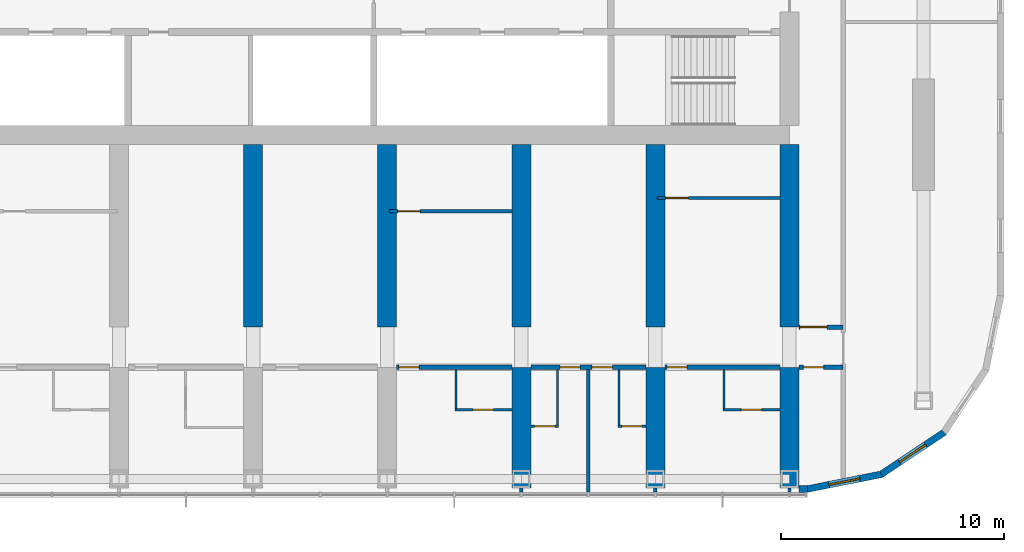
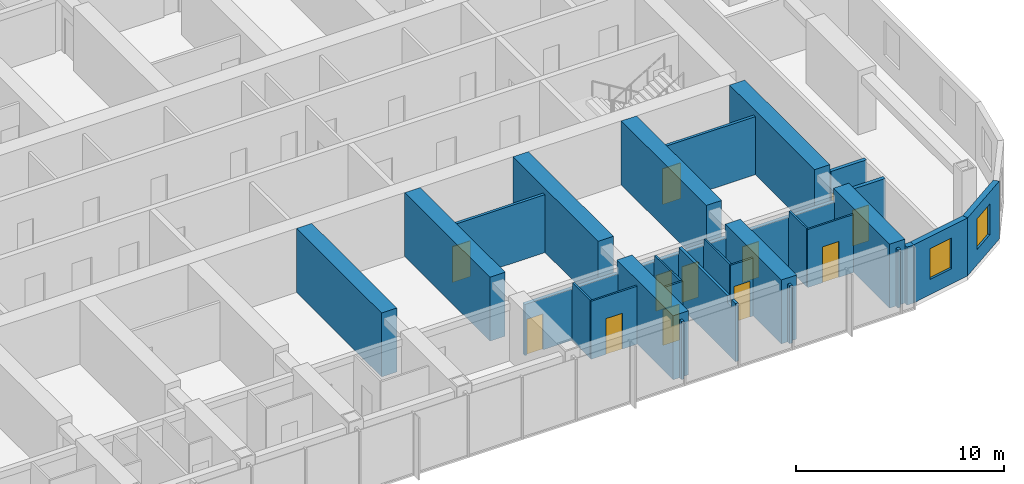
# One storey, part 12 of 22: 30 walls, 12 doors, 2 windows, 14 openings.
"""IFC4 building model written with IfcOpenShell, lengths in metres."""

from ifc_helpers import new_model, si_unit, direction, frame, frame_2d, origin, place, context, subcontext, project, spatial, polyline, rectangle, outline, extrude, material, layer, layer_set, type_object, element, fill, save


model = new_model("IFC4")

# Units and contexts
model_context = context("Model", 3, precision=1e-05, world=origin(), true_north=direction((0.0, 1.0)))
body_context = subcontext(model_context, "Body", "Model", "MODEL_VIEW")
ifc_project = project(units=[si_unit("LENGTHUNIT", "METRE"), si_unit("AREAUNIT", "SQUARE_METRE"), si_unit("VOLUMEUNIT", "CUBIC_METRE"), si_unit("PLANEANGLEUNIT", "RADIAN"), si_unit("MASSUNIT", "GRAM", prefix="KILO")], contexts=[model_context])

# Site, building, storey
site_placement = place(None, origin())
site = spatial("IfcSite", under=ifc_project, at=site_placement, CompositionType="ELEMENT")
building_placement = place(site_placement, origin())
building = spatial("IfcBuilding", under=site, at=building_placement, Name="Orbita Commons", CompositionType="ELEMENT")
storey_placement = place(building_placement, frame((0.0, 0.0, 197.35009765625)))
storey = spatial("IfcBuildingStorey", under=building, at=storey_placement, Name="L49", CompositionType="ELEMENT", Elevation=197.35009765625)

# Wall, opening, door
ifc_material_1 = material(Name="Concrete blockwork", Category="masonry")
ifc_layer_1 = layer(ifc_material_1, 0.199951171875)
ifc_layer_set_1 = layer_set([ifc_layer_1], Name="Concrete blockwork")
wall_type_1 = type_object("IfcWallType", Name="Corridor wall 200 blockwork", PredefinedType="SOLIDWALL", material=ifc_layer_set_1)
wall_1_placement = place(storey_placement, frame((48.425048828125, 15.39990234375, 0.0), z_axis=(0.0, 0.0, 1.0), x_axis=(1.0, 0.0, 0.0)))
wall_1 = element("IfcWall", 1, at=wall_1_placement, inside=storey, type_object=wall_type_1, Name="Corridor wall 200 blockwork L49", PredefinedType="SOLIDWALL", context=body_context, shape_type="SweptSolid", body=[
    extrude(outline(polyline([(0.0, 0.0), (5.14990234375, 0.0), (5.14990234375, 3.0), (0.0, 3.0), (0.0, 0.0)])), frame((0.0, 0.10009765625, 0.0), z_axis=(0.0, -1.0, 0.0), x_axis=(1.0, 0.0, 0.0)), (0.0, 0.0, 1.0), 0.199951171875),
])
opening_1_placement = place(wall_1_placement, frame((0.10009765625, 0.0, 0.0)))
opening_1 = element("IfcOpeningElement", 2, at=opening_1_placement, cuts=wall_1, Name="Opening D11", PredefinedType="OPENING", context=body_context, shape_type="SweptSolid", body=[
    extrude(rectangle(XDim=0.89990234375, YDim=2.10009765625, at=frame_2d((0.449951171875, 1.050048828125))), frame((0.0, 0.10986328125, 0.0), z_axis=(0.0, -1.0, 0.0), x_axis=(1.0, 0.0, 0.0)), (0.0, 0.0, 1.0), 0.219970703125),
])
ifc_material_2 = material(Name="Steel-faced fire door leaf", Category="steel")
door_type_1 = type_object("IfcDoorType", Name="Corridor door 20 min 900x2100", OperationType="SINGLE_SWING_LEFT", PredefinedType="DOOR", material=ifc_material_2)
door_1_placement = place(opening_1_placement, origin())
door_1 = element("IfcDoor", 3, at=door_1_placement, inside=storey, type_object=door_type_1, Name="Twin room L49-S10 door", OperationType="SINGLE_SWING_LEFT", OverallHeight=2.10009765625, OverallWidth=0.89990234375, PredefinedType="DOOR", context=body_context, shape_type="SweptSolid", body=[
    extrude(rectangle(XDim=0.89990234375, YDim=2.10009765625, at=frame_2d((0.449951171875, 1.050048828125))), frame((0.0, 0.02490234375, 0.0), z_axis=(0.0, -1.0, 0.0), x_axis=(1.0, 0.0, 0.0)), (0.0, 0.0, 1.0), 0.050048828125),
])
fill(opening_1, door_1)

# Wall, openings, doors
wall_2_placement = place(storey_placement, frame((54.425048828125, 15.39990234375, 0.0), z_axis=(0.0, 0.0, 1.0), x_axis=(1.0, 0.0, 0.0)))
wall_2 = element("IfcWall", 4, at=wall_2_placement, inside=storey, type_object=wall_type_1, Name="Corridor wall 200 blockwork L49", PredefinedType="SOLIDWALL", context=body_context, shape_type="SweptSolid", body=[
    extrude(outline(polyline([(0.0, 0.0), (5.14990234375, 0.0), (5.14990234375, 3.0), (0.0, 3.0), (0.0, 0.0)])), frame((0.0, 0.10009765625, 0.0), z_axis=(0.0, -1.0, 0.0), x_axis=(1.0, 0.0, 0.0)), (0.0, 0.0, 1.0), 0.199951171875),
])
opening_2_placement = place(wall_2_placement, frame((1.300048828125, 0.0, 0.0)))
opening_2 = element("IfcOpeningElement", 5, at=opening_2_placement, cuts=wall_2, Name="Opening D11", PredefinedType="OPENING", context=body_context, shape_type="SweptSolid", body=[
    extrude(rectangle(XDim=0.89990234375, YDim=2.10009765625, at=frame_2d((0.449951171875, 1.050048828125))), frame((0.0, 0.10986328125, 0.0), z_axis=(0.0, -1.0, 0.0), x_axis=(1.0, 0.0, 0.0)), (0.0, 0.0, 1.0), 0.219970703125),
])
opening_3_placement = place(wall_2_placement, frame((2.75, 0.0, 0.0)))
opening_3 = element("IfcOpeningElement", 6, at=opening_3_placement, cuts=wall_2, Name="Opening D11", PredefinedType="OPENING", context=body_context, shape_type="SweptSolid", body=[
    extrude(rectangle(XDim=0.89990234375, YDim=2.10009765625, at=frame_2d((0.449951171875, 1.050048828125))), frame((0.0, 0.10986328125, 0.0), z_axis=(0.0, -1.0, 0.0), x_axis=(1.0, 0.0, 0.0)), (0.0, 0.0, 1.0), 0.219970703125),
])
door_2_placement = place(opening_2_placement, origin())
door_2 = element("IfcDoor", 7, at=door_2_placement, inside=storey, type_object=door_type_1, Name="Cluster bedroom L49-S12 door", OperationType="SINGLE_SWING_LEFT", OverallHeight=2.10009765625, OverallWidth=0.89990234375, PredefinedType="DOOR", context=body_context, shape_type="SweptSolid", body=[
    extrude(rectangle(XDim=0.89990234375, YDim=2.10009765625, at=frame_2d((0.449951171875, 1.050048828125))), frame((0.0, 0.02490234375, 0.0), z_axis=(0.0, -1.0, 0.0), x_axis=(1.0, 0.0, 0.0)), (0.0, 0.0, 1.0), 0.050048828125),
])
fill(opening_2, door_2)
door_3_placement = place(opening_3_placement, origin())
door_3 = element("IfcDoor", 8, at=door_3_placement, inside=storey, type_object=door_type_1, Name="Cluster bedroom L49-S13 door", OperationType="SINGLE_SWING_LEFT", OverallHeight=2.10009765625, OverallWidth=0.89990234375, PredefinedType="DOOR", context=body_context, shape_type="SweptSolid", body=[
    extrude(rectangle(XDim=0.89990234375, YDim=2.10009765625, at=frame_2d((0.449951171875, 1.050048828125))), frame((0.0, 0.02490234375, 0.0), z_axis=(0.0, -1.0, 0.0), x_axis=(1.0, 0.0, 0.0)), (0.0, 0.0, 1.0), 0.050048828125),
])
fill(opening_3, door_3)

# Wall, opening, door
wall_3_placement = place(storey_placement, frame((60.425048828125, 15.39990234375, 0.0), z_axis=(0.0, 0.0, 1.0), x_axis=(1.0, 0.0, 0.0)))
wall_3 = element("IfcWall", 9, at=wall_3_placement, inside=storey, type_object=wall_type_1, Name="Corridor wall 200 blockwork L49", PredefinedType="SOLIDWALL", context=body_context, shape_type="SweptSolid", body=[
    extrude(outline(polyline([(0.0, 0.0), (5.14990234375, 0.0), (5.14990234375, 3.0), (0.0, 3.0), (0.0, 0.0)])), frame((0.0, 0.10009765625, 0.0), z_axis=(0.0, -1.0, 0.0), x_axis=(1.0, 0.0, 0.0)), (0.0, 0.0, 1.0), 0.199951171875),
])
opening_4_placement = place(wall_3_placement, frame((0.10009765625, 0.0, 0.0)))
opening_4 = element("IfcOpeningElement", 10, at=opening_4_placement, cuts=wall_3, Name="Opening D11", PredefinedType="OPENING", context=body_context, shape_type="SweptSolid", body=[
    extrude(rectangle(XDim=0.89990234375, YDim=2.10009765625, at=frame_2d((0.449951171875, 1.050048828125))), frame((0.0, 0.10986328125, 0.0), z_axis=(0.0, -1.0, 0.0), x_axis=(1.0, 0.0, 0.0)), (0.0, 0.0, 1.0), 0.219970703125),
])
door_4_placement = place(opening_4_placement, origin())
door_4 = element("IfcDoor", 11, at=door_4_placement, inside=storey, type_object=door_type_1, Name="Twin room L49-S14 door", OperationType="SINGLE_SWING_LEFT", OverallHeight=2.10009765625, OverallWidth=0.89990234375, PredefinedType="DOOR", context=body_context, shape_type="SweptSolid", body=[
    extrude(rectangle(XDim=0.89990234375, YDim=2.10009765625, at=frame_2d((0.449951171875, 1.050048828125))), frame((0.0, 0.02490234375, 0.0), z_axis=(0.0, -1.0, 0.0), x_axis=(1.0, 0.0, 0.0)), (0.0, 0.0, 1.0), 0.050048828125),
])
fill(opening_4, door_4)

wall_4_placement = place(storey_placement, frame((66.425048828125, 15.39990234375, 0.0), z_axis=(0.0, 0.0, 1.0), x_axis=(1.0, 0.0, 0.0)))
wall_4 = element("IfcWall", 12, at=wall_4_placement, inside=storey, type_object=wall_type_1, Name="Corridor wall 200 blockwork L49", PredefinedType="SOLIDWALL", context=body_context, shape_type="SweptSolid", body=[
    extrude(rectangle(XDim=1.974853515625, YDim=0.199951171875, at=frame_2d((0.9873046875, 0.0))), origin(), (0.0, 0.0, 1.0), 3.39990234375),
])
opening_5_placement = place(wall_4_placement, frame((0.199951171875, 0.0, 0.0)))
opening_5 = element("IfcOpeningElement", 13, at=opening_5_placement, cuts=wall_4, Name="Opening D05", PredefinedType="OPENING", context=body_context, shape_type="SweptSolid", body=[
    extrude(rectangle(XDim=0.89990234375, YDim=2.10009765625, at=frame_2d((0.449951171875, 1.050048828125))), frame((0.0, 0.10986328125, 0.0), z_axis=(0.0, -1.0, 0.0), x_axis=(1.0, 0.0, 0.0)), (0.0, 0.0, 1.0), 0.219970703125),
])
ifc_material_3 = material(Name="Steel-faced fire door leaf", Category="steel")
door_type_2 = type_object("IfcDoorType", Name="Service door 20 min 900x2100", OperationType="SINGLE_SWING_LEFT", PredefinedType="DOOR", material=ifc_material_3)
door_5_placement = place(opening_5_placement, origin())
door_5 = element("IfcDoor", 14, at=door_5_placement, inside=storey, type_object=door_type_2, Name="Linen store L49-KES door", OperationType="SINGLE_SWING_LEFT", OverallHeight=2.10009765625, OverallWidth=0.89990234375, PredefinedType="DOOR", context=body_context, shape_type="SweptSolid", body=[
    extrude(rectangle(XDim=0.89990234375, YDim=2.10009765625, at=frame_2d((0.449951171875, 1.050048828125))), frame((0.0, 0.02490234375, 0.0), z_axis=(0.0, -1.0, 0.0), x_axis=(1.0, 0.0, 0.0)), (0.0, 0.0, 1.0), 0.050048828125),
])
fill(opening_5, door_5)

ifc_material_4 = material(Name="Hollow concrete block 200", Category="concrete")
ifc_layer_2 = layer(ifc_material_4, 0.199951171875)
ifc_layer_set_2 = layer_set([ifc_layer_2], Name="Hollow concrete block 200")
wall_type_2 = type_object("IfcWallType", Name="Corridor wall 200 hollow concrete block", PredefinedType="SOLIDWALL", material=ifc_layer_set_2)
wall_5_placement = place(storey_placement, frame((66.425048828125, 17.199951171875, 0.0), z_axis=(0.0, 0.0, 1.0), x_axis=(1.0, 0.0, 0.0)))
wall_5 = element("IfcWall", 15, at=wall_5_placement, inside=storey, type_object=wall_type_2, Name="Corridor wall 200 hollow concrete block L49", PredefinedType="SOLIDWALL", context=body_context, shape_type="SweptSolid", body=[
    extrude(rectangle(XDim=1.974853515625, YDim=0.199951171875, at=frame_2d((0.9873046875, 0.0))), origin(), (0.0, 0.0, 1.0), 3.39990234375),
])
opening_6_placement = place(wall_5_placement, frame((0.050048828125, 0.0, 0.0)))
opening_6 = element("IfcOpeningElement", 16, at=opening_6_placement, cuts=wall_5, Name="Opening D12", PredefinedType="OPENING", context=body_context, shape_type="SweptSolid", body=[
    extrude(rectangle(XDim=1.199951171875, YDim=2.10009765625, at=frame_2d((0.60009765625, 1.050048828125))), frame((0.0, 0.10986328125, 0.0), z_axis=(0.0, -1.0, 0.0), x_axis=(1.0, 0.0, 0.0)), (0.0, 0.0, 1.0), 0.219970703125),
])
ifc_material_5 = material(Name="Steel-faced fire door leaf", Category="steel")
door_type_3 = type_object("IfcDoorType", Name="Double corridor door 20 min 1200x2100", OperationType="DOUBLE_DOOR_SINGLE_SWING", PredefinedType="DOOR", material=ifc_material_5)
door_6_placement = place(opening_6_placement, origin())
door_6 = element("IfcDoor", 17, at=door_6_placement, inside=storey, type_object=door_type_3, Name="Cross corridor doors", OperationType="DOUBLE_DOOR_SINGLE_SWING", OverallHeight=2.10009765625, OverallWidth=1.199951171875, PredefinedType="DOOR", context=body_context, shape_type="SweptSolid", body=[
    extrude(rectangle(XDim=1.199951171875, YDim=2.10009765625, at=frame_2d((0.60009765625, 1.050048828125))), frame((0.0, 0.02490234375, 0.0), z_axis=(0.0, -1.0, 0.0), x_axis=(1.0, 0.0, 0.0)), (0.0, 0.0, 1.0), 0.050048828125),
])
fill(opening_6, door_6)

# Walls
ifc_material_6 = material(Name="Concrete C50/60", Category="concrete")
ifc_layer_3 = layer(ifc_material_6, 0.85009765625)
ifc_layer_set_3 = layer_set([ifc_layer_3], Name="Concrete C50/60")
wall_type_3 = type_object("IfcWallType", Name="Cross wall 850 C50/60", PredefinedType="SHEAR", material=ifc_layer_set_3)
for number, where, z_axis, x_axis, name in (
    (18, (42.0, 17.199951171875, 0.0), (0.0, 0.0, 1.0), (0.0, 1.0, 0.0), "Cross wall 8 south inner L49"),
    (19, (48.0, 17.199951171875, 0.0), (0.0, 0.0, 1.0), (0.0, 1.0, 0.0), "Cross wall 9 south inner L49"),
):
    element("IfcWall", number, at=place(storey_placement, frame(where, z_axis=z_axis, x_axis=x_axis)), inside=storey, type_object=wall_type_3, Name=name, PredefinedType="SHEAR", context=body_context, shape_type="SweptSolid", body=[
        extrude(rectangle(XDim=8.175048828125, YDim=0.85009765625, at=frame_2d((4.08740234375, 0.0))), origin(), (0.0, 0.0, 1.0), 3.75),
    ])
wall_6_placement = place(storey_placement, frame((54.0, 10.0, 0.0), z_axis=(0.0, 0.0, 1.0), x_axis=(0.0, 1.0, 0.0)))
element("IfcWall", 20, at=wall_6_placement, inside=storey, type_object=wall_type_3, Name="Cross wall 10 south outer L49", PredefinedType="SHEAR", context=body_context, shape_type="SweptSolid", body=[
    extrude(rectangle(XDim=5.39990234375, YDim=0.85009765625, at=frame_2d((2.699951171875, 0.0))), origin(), (0.0, 0.0, 1.0), 3.75),
])
wall_7_placement = place(storey_placement, frame((54.0, 17.199951171875, 0.0), z_axis=(0.0, 0.0, 1.0), x_axis=(0.0, 1.0, 0.0)))
element("IfcWall", 21, at=wall_7_placement, inside=storey, type_object=wall_type_3, Name="Cross wall 10 south inner L49", PredefinedType="SHEAR", context=body_context, shape_type="SweptSolid", body=[
    extrude(rectangle(XDim=8.175048828125, YDim=0.85009765625, at=frame_2d((4.08740234375, 0.0))), origin(), (0.0, 0.0, 1.0), 3.75),
])
wall_8_placement = place(storey_placement, frame((60.0, 10.0, 0.0), z_axis=(0.0, 0.0, 1.0), x_axis=(0.0, 1.0, 0.0)))
element("IfcWall", 22, at=wall_8_placement, inside=storey, type_object=wall_type_3, Name="Cross wall 11 south outer L49", PredefinedType="SHEAR", context=body_context, shape_type="SweptSolid", body=[
    extrude(rectangle(XDim=5.39990234375, YDim=0.85009765625, at=frame_2d((2.699951171875, 0.0))), origin(), (0.0, 0.0, 1.0), 3.75),
])
wall_9_placement = place(storey_placement, frame((60.0, 17.199951171875, 0.0), z_axis=(0.0, 0.0, 1.0), x_axis=(0.0, 1.0, 0.0)))
element("IfcWall", 23, at=wall_9_placement, inside=storey, type_object=wall_type_3, Name="Cross wall 11 south inner L49", PredefinedType="SHEAR", context=body_context, shape_type="SweptSolid", body=[
    extrude(rectangle(XDim=8.175048828125, YDim=0.85009765625, at=frame_2d((4.08740234375, 0.0))), origin(), (0.0, 0.0, 1.0), 3.75),
])
wall_10_placement = place(storey_placement, frame((66.0, 10.0, 0.0), z_axis=(0.0, 0.0, 1.0), x_axis=(0.0, 1.0, 0.0)))
element("IfcWall", 24, at=wall_10_placement, inside=storey, type_object=wall_type_3, Name="Cross wall 12 south outer L49", PredefinedType="SHEAR", context=body_context, shape_type="SweptSolid", body=[
    extrude(rectangle(XDim=5.39990234375, YDim=0.85009765625, at=frame_2d((2.699951171875, 0.0))), origin(), (0.0, 0.0, 1.0), 3.75),
])
wall_11_placement = place(storey_placement, frame((66.0, 17.199951171875, 0.0), z_axis=(0.0, 0.0, 1.0), x_axis=(0.0, 1.0, 0.0)))
element("IfcWall", 25, at=wall_11_placement, inside=storey, type_object=wall_type_3, Name="Cross wall 12 south inner L49", PredefinedType="SHEAR", context=body_context, shape_type="SweptSolid", body=[
    extrude(rectangle(XDim=8.175048828125, YDim=0.85009765625, at=frame_2d((4.08740234375, 0.0))), origin(), (0.0, 0.0, 1.0), 3.75),
])

# Wall, opening, door
ifc_material_7 = material(Name="Moisture-resistant plasterboard on steel studs", Category="steel")
ifc_layer_4 = layer(ifc_material_7, 0.10009765625)
ifc_layer_set_4 = layer_set([ifc_layer_4], Name="Moisture-resistant plasterboard on steel studs")
wall_type_4 = type_object("IfcWallType", Name="En-suite partition 100", PredefinedType="PARTITIONING", material=ifc_layer_set_4)
wall_12_placement = place(storey_placement, frame((53.574951171875, 13.5, 0.0), z_axis=(0.0, 0.0, 1.0), x_axis=(-1.0, 0.0, 0.0)))
wall_12 = element("IfcWall", 26, at=wall_12_placement, inside=storey, type_object=wall_type_4, Name="En-suite partition 100 L49", PredefinedType="PARTITIONING", context=body_context, shape_type="SweptSolid", body=[
    extrude(rectangle(XDim=2.550048828125, YDim=0.10009765625, at=frame_2d((1.27490234375, 0.0))), origin(), (0.0, 0.0, 1.0), 3.39990234375),
])
opening_7_placement = place(wall_12_placement, frame((0.824951171875, 0.0, 0.0)))
opening_7 = element("IfcOpeningElement", 27, at=opening_7_placement, cuts=wall_12, Name="Opening D09", PredefinedType="OPENING", context=body_context, shape_type="SweptSolid", body=[
    extrude(rectangle(XDim=0.89990234375, YDim=2.10009765625, at=frame_2d((0.449951171875, 1.050048828125))), frame((0.0, 0.06005859375, 0.0), z_axis=(0.0, -1.0, 0.0), x_axis=(1.0, 0.0, 0.0)), (0.0, 0.0, 1.0), 0.1201171875),
])
ifc_material_8 = material(Name="Laminated timber door leaf", Category="wood")
door_type_4 = type_object("IfcDoorType", Name="En-suite door 900x2100", OperationType="SINGLE_SWING_RIGHT", PredefinedType="DOOR", material=ifc_material_8)
door_7_placement = place(opening_7_placement, origin())
door_7 = element("IfcDoor", 28, at=door_7_placement, inside=storey, type_object=door_type_4, Name="En-suite L49-S10 door", OperationType="SINGLE_SWING_RIGHT", OverallHeight=2.10009765625, OverallWidth=0.89990234375, PredefinedType="DOOR", context=body_context, shape_type="SweptSolid", body=[
    extrude(rectangle(XDim=0.89990234375, YDim=2.10009765625, at=frame_2d((0.449951171875, 1.050048828125))), frame((0.0, 0.02490234375, 0.0), z_axis=(0.0, -1.0, 0.0), x_axis=(1.0, 0.0, 0.0)), (0.0, 0.0, 1.0), 0.050048828125),
])
fill(opening_7, door_7)

# Wall
wall_13_placement = place(storey_placement, frame((51.074951171875, 13.550048828125, 0.0), z_axis=(0.0, 0.0, 1.0), x_axis=(0.0, 1.0, 0.0)))
element("IfcWall", 29, at=wall_13_placement, inside=storey, type_object=wall_type_4, Name="En-suite partition 100 L49", PredefinedType="PARTITIONING", context=body_context, shape_type="SweptSolid", body=[
    extrude(outline(polyline([(0.0, 0.0), (1.75, 0.0), (1.75, 3.0), (1.701904296875, 3.0), (1.699951171875, 3.39990234375), (0.0, 3.39990234375), (0.0, 0.0)])), frame((0.0, 0.050048828125, 0.0), z_axis=(0.0, -1.0, 0.0), x_axis=(1.0, 0.0, 0.0)), (0.0, 0.0, 1.0), 0.10009765625),
])

# Wall, opening, door
wall_14_placement = place(storey_placement, frame((55.675048828125, 12.75830078125, 0.0), z_axis=(0.0, 0.0, 1.0), x_axis=(-1.0, 0.0, 0.0)))
wall_14 = element("IfcWall", 30, at=wall_14_placement, inside=storey, type_object=wall_type_4, Name="En-suite partition 100 L49", PredefinedType="PARTITIONING", context=body_context, shape_type="SweptSolid", body=[
    extrude(rectangle(XDim=1.25, YDim=0.10009765625, at=frame_2d((0.625, 0.0))), origin(), (0.0, 0.0, 1.0), 3.39990234375),
])
opening_8_placement = place(wall_14_placement, frame((0.175048828125, 0.0, 0.0)))
opening_8 = element("IfcOpeningElement", 31, at=opening_8_placement, cuts=wall_14, Name="Opening D09", PredefinedType="OPENING", context=body_context, shape_type="SweptSolid", body=[
    extrude(rectangle(XDim=0.89990234375, YDim=2.10009765625, at=frame_2d((0.449951171875, 1.050048828125))), frame((0.0, 0.06005859375, 0.0), z_axis=(0.0, -1.0, 0.0), x_axis=(1.0, 0.0, 0.0)), (0.0, 0.0, 1.0), 0.1201171875),
])
door_8_placement = place(opening_8_placement, origin())
door_8 = element("IfcDoor", 32, at=door_8_placement, inside=storey, type_object=door_type_4, Name="En-suite L49-S12 door", OperationType="SINGLE_SWING_RIGHT", OverallHeight=2.10009765625, OverallWidth=0.89990234375, PredefinedType="DOOR", context=body_context, shape_type="SweptSolid", body=[
    extrude(rectangle(XDim=0.89990234375, YDim=2.10009765625, at=frame_2d((0.449951171875, 1.050048828125))), frame((0.0, 0.02490234375, 0.0), z_axis=(0.0, -1.0, 0.0), x_axis=(1.0, 0.0, 0.0)), (0.0, 0.0, 1.0), 0.050048828125),
])
fill(opening_8, door_8)

# Wall
wall_15_placement = place(storey_placement, frame((55.625, 12.808349609375, 0.0), z_axis=(0.0, 0.0, 1.0), x_axis=(0.0, 1.0, 0.0)))
element("IfcWall", 33, at=wall_15_placement, inside=storey, type_object=wall_type_4, Name="En-suite partition 100 L49", PredefinedType="PARTITIONING", context=body_context, shape_type="SweptSolid", body=[
    extrude(outline(polyline([(0.0, 0.0), (2.49169921875, 0.0), (2.49169921875, 3.0), (2.443603515625, 3.0), (2.441650390625, 3.39990234375), (0.0, 3.39990234375), (0.0, 0.0)])), frame((0.0, 0.050048828125, 0.0), z_axis=(0.0, -1.0, 0.0), x_axis=(1.0, 0.0, 0.0)), (0.0, 0.0, 1.0), 0.10009765625),
])

# Wall, opening, door
wall_16_placement = place(storey_placement, frame((59.574951171875, 12.75830078125, 0.0), z_axis=(0.0, 0.0, 1.0), x_axis=(-1.0, 0.0, 0.0)))
wall_16 = element("IfcWall", 34, at=wall_16_placement, inside=storey, type_object=wall_type_4, Name="En-suite partition 100 L49", PredefinedType="PARTITIONING", context=body_context, shape_type="SweptSolid", body=[
    extrude(rectangle(XDim=1.25, YDim=0.10009765625, at=frame_2d((0.625, 0.0))), origin(), (0.0, 0.0, 1.0), 3.39990234375),
])
opening_9_placement = place(wall_16_placement, frame((0.175048828125, 0.0, 0.0)))
opening_9 = element("IfcOpeningElement", 35, at=opening_9_placement, cuts=wall_16, Name="Opening D09", PredefinedType="OPENING", context=body_context, shape_type="SweptSolid", body=[
    extrude(rectangle(XDim=0.89990234375, YDim=2.10009765625, at=frame_2d((0.449951171875, 1.050048828125))), frame((0.0, 0.06005859375, 0.0), z_axis=(0.0, -1.0, 0.0), x_axis=(1.0, 0.0, 0.0)), (0.0, 0.0, 1.0), 0.1201171875),
])
door_9_placement = place(opening_9_placement, origin())
door_9 = element("IfcDoor", 36, at=door_9_placement, inside=storey, type_object=door_type_4, Name="En-suite L49-S13 door", OperationType="SINGLE_SWING_RIGHT", OverallHeight=2.10009765625, OverallWidth=0.89990234375, PredefinedType="DOOR", context=body_context, shape_type="SweptSolid", body=[
    extrude(rectangle(XDim=0.89990234375, YDim=2.10009765625, at=frame_2d((0.449951171875, 1.050048828125))), frame((0.0, 0.02490234375, 0.0), z_axis=(0.0, -1.0, 0.0), x_axis=(1.0, 0.0, 0.0)), (0.0, 0.0, 1.0), 0.050048828125),
])
fill(opening_9, door_9)

# Wall
wall_17_placement = place(storey_placement, frame((58.375, 12.808349609375, 0.0), z_axis=(0.0, 0.0, 1.0), x_axis=(0.0, 1.0, 0.0)))
element("IfcWall", 37, at=wall_17_placement, inside=storey, type_object=wall_type_4, Name="En-suite partition 100 L49", PredefinedType="PARTITIONING", context=body_context, shape_type="SweptSolid", body=[
    extrude(outline(polyline([(0.0, 0.0), (2.49169921875, 0.0), (2.49169921875, 3.0), (2.443603515625, 3.0), (2.441650390625, 3.39990234375), (0.0, 3.39990234375), (0.0, 0.0)])), frame((0.0, 0.050048828125, 0.0), z_axis=(0.0, -1.0, 0.0), x_axis=(1.0, 0.0, 0.0)), (0.0, 0.0, 1.0), 0.10009765625),
])

# Wall, opening, door
wall_18_placement = place(storey_placement, frame((65.574951171875, 13.5, 0.0), z_axis=(0.0, 0.0, 1.0), x_axis=(-1.0, 0.0, 0.0)))
wall_18 = element("IfcWall", 38, at=wall_18_placement, inside=storey, type_object=wall_type_4, Name="En-suite partition 100 L49", PredefinedType="PARTITIONING", context=body_context, shape_type="SweptSolid", body=[
    extrude(rectangle(XDim=2.550048828125, YDim=0.10009765625, at=frame_2d((1.27490234375, 0.0))), origin(), (0.0, 0.0, 1.0), 3.39990234375),
])
opening_10_placement = place(wall_18_placement, frame((0.824951171875, 0.0, 0.0)))
opening_10 = element("IfcOpeningElement", 39, at=opening_10_placement, cuts=wall_18, Name="Opening D09", PredefinedType="OPENING", context=body_context, shape_type="SweptSolid", body=[
    extrude(rectangle(XDim=0.89990234375, YDim=2.10009765625, at=frame_2d((0.449951171875, 1.050048828125))), frame((0.0, 0.06005859375, 0.0), z_axis=(0.0, -1.0, 0.0), x_axis=(1.0, 0.0, 0.0)), (0.0, 0.0, 1.0), 0.1201171875),
])
door_10_placement = place(opening_10_placement, origin())
door_10 = element("IfcDoor", 40, at=door_10_placement, inside=storey, type_object=door_type_4, Name="En-suite L49-S14 door", OperationType="SINGLE_SWING_RIGHT", OverallHeight=2.10009765625, OverallWidth=0.89990234375, PredefinedType="DOOR", context=body_context, shape_type="SweptSolid", body=[
    extrude(rectangle(XDim=0.89990234375, YDim=2.10009765625, at=frame_2d((0.449951171875, 1.050048828125))), frame((0.0, 0.02490234375, 0.0), z_axis=(0.0, -1.0, 0.0), x_axis=(1.0, 0.0, 0.0)), (0.0, 0.0, 1.0), 0.050048828125),
])
fill(opening_10, door_10)

# Wall
wall_19_placement = place(storey_placement, frame((63.074951171875, 13.550048828125, 0.0), z_axis=(0.0, 0.0, 1.0), x_axis=(0.0, 1.0, 0.0)))
element("IfcWall", 41, at=wall_19_placement, inside=storey, type_object=wall_type_4, Name="En-suite partition 100 L49", PredefinedType="PARTITIONING", context=body_context, shape_type="SweptSolid", body=[
    extrude(outline(polyline([(0.0, 0.0), (1.75, 0.0), (1.75, 3.0), (1.701904296875, 3.0), (1.699951171875, 3.39990234375), (0.0, 3.39990234375), (0.0, 0.0)])), frame((0.0, 0.050048828125, 0.0), z_axis=(0.0, -1.0, 0.0), x_axis=(1.0, 0.0, 0.0)), (0.0, 0.0, 1.0), 0.10009765625),
])

# Wall, opening, door
ifc_material_9 = material(Name="Gypsum plasterboard on steel studs", Category="steel")
ifc_layer_5 = layer(ifc_material_9, 0.14990234375)
ifc_layer_set_5 = layer_set([ifc_layer_5], Name="Gypsum plasterboard on steel studs")
wall_type_5 = type_object("IfcWallType", Name="Partition 150 plasterboard", PredefinedType="PARTITIONING", material=ifc_layer_set_5)
wall_20_placement = place(storey_placement, frame((48.074951171875, 22.375, 0.0), z_axis=(0.0, 0.0, 1.0), x_axis=(1.0, 0.0, 0.0)))
wall_20 = element("IfcWall", 42, at=wall_20_placement, inside=storey, type_object=wall_type_5, Name="Partition 150 plasterboard L49", PredefinedType="PARTITIONING", context=body_context, shape_type="SweptSolid", body=[
    extrude(rectangle(XDim=5.5, YDim=0.14990234375, at=frame_2d((2.75, 0.0))), origin(), (0.0, 0.0, 1.0), 3.39990234375),
])
opening_11_placement = place(wall_20_placement, frame((0.39990234375, 0.0, 0.0)))
opening_11 = element("IfcOpeningElement", 43, at=opening_11_placement, cuts=wall_20, Name="Opening D18", PredefinedType="OPENING", context=body_context, shape_type="SweptSolid", body=[
    extrude(rectangle(XDim=1.0, YDim=2.10009765625, at=frame_2d((0.5, 1.050048828125))), frame((0.0, 0.0849609375, 0.0), z_axis=(0.0, -1.0, 0.0), x_axis=(1.0, 0.0, 0.0)), (0.0, 0.0, 1.0), 0.169921875),
])
ifc_material_10 = material(Name="Steel-faced fire door leaf", Category="steel")
door_type_5 = type_object("IfcDoorType", Name="Service door 20 min 1000x2100", OperationType="SINGLE_SWING_LEFT", PredefinedType="DOOR", material=ifc_material_10)
door_11_placement = place(opening_11_placement, origin())
door_11 = element("IfcDoor", 44, at=door_11_placement, inside=storey, type_object=door_type_5, Name="Refuse and recycling room L49-BDS48 door", OperationType="SINGLE_SWING_LEFT", OverallHeight=2.10009765625, OverallWidth=1.0, PredefinedType="DOOR", context=body_context, shape_type="SweptSolid", body=[
    extrude(rectangle(XDim=1.0, YDim=2.10009765625, at=frame_2d((0.5, 1.050048828125))), frame((0.0, 0.02490234375, 0.0), z_axis=(0.0, -1.0, 0.0), x_axis=(1.0, 0.0, 0.0)), (0.0, 0.0, 1.0), 0.050048828125),
])
fill(opening_11, door_11)

wall_21_placement = place(storey_placement, frame((60.074951171875, 22.97509765625, 0.0), z_axis=(0.0, 0.0, 1.0), x_axis=(1.0, 0.0, 0.0)))
wall_21 = element("IfcWall", 45, at=wall_21_placement, inside=storey, type_object=wall_type_5, Name="Partition 150 plasterboard L49", PredefinedType="PARTITIONING", context=body_context, shape_type="SweptSolid", body=[
    extrude(rectangle(XDim=5.5, YDim=0.14990234375, at=frame_2d((2.75, 0.0))), origin(), (0.0, 0.0, 1.0), 3.39990234375),
])
opening_12_placement = place(wall_21_placement, frame((0.39990234375, 0.0, 0.0)))
opening_12 = element("IfcOpeningElement", 46, at=opening_12_placement, cuts=wall_21, Name="Opening D18", PredefinedType="OPENING", context=body_context, shape_type="SweptSolid", body=[
    extrude(rectangle(XDim=1.0, YDim=2.10009765625, at=frame_2d((0.5, 1.050048828125))), frame((0.0, 0.0849609375, 0.0), z_axis=(0.0, -1.0, 0.0), x_axis=(1.0, 0.0, 0.0)), (0.0, 0.0, 1.0), 0.169921875),
])
door_12_placement = place(opening_12_placement, origin())
door_12 = element("IfcDoor", 47, at=door_12_placement, inside=storey, type_object=door_type_5, Name="Cleaners store L49-BDS60 door", OperationType="SINGLE_SWING_LEFT", OverallHeight=2.10009765625, OverallWidth=1.0, PredefinedType="DOOR", context=body_context, shape_type="SweptSolid", body=[
    extrude(rectangle(XDim=1.0, YDim=2.10009765625, at=frame_2d((0.5, 1.050048828125))), frame((0.0, 0.02490234375, 0.0), z_axis=(0.0, -1.0, 0.0), x_axis=(1.0, 0.0, 0.0)), (0.0, 0.0, 1.0), 0.050048828125),
])
fill(opening_12, door_12)

# Walls
for number, where, z_axis, x_axis, name in (
    (48, (54.0, 10.0, 0.0), (0.0, 0.0, 1.0), (0.0, -1.0, 0.0), "Partition 150 plasterboard L49"),
    (49, (60.0, 10.0, 0.0), (0.0, 0.0, 1.0), (0.0, -1.0, 0.0), "Partition 150 plasterboard L49"),
    (50, (66.0, 10.0, 0.0), (0.0, 0.0, 1.0), (0.0, -1.0, 0.0), "Partition 150 plasterboard L49"),
):
    element("IfcWall", number, at=place(storey_placement, frame(where, z_axis=z_axis, x_axis=x_axis)), inside=storey, type_object=wall_type_5, Name=name, PredefinedType="PARTITIONING", context=body_context, shape_type="SweptSolid", body=[
        extrude(rectangle(XDim=0.18994140625, YDim=0.14990234375, at=frame_2d((0.094970703125, 0.0))), origin(), (0.0, 0.0, 1.0), 3.39990234375),
    ])
ifc_material_11 = material(Name="Gypsum plasterboard on steel studs", Category="steel")
ifc_layer_6 = layer(ifc_material_11, 0.14990234375)
ifc_layer_set_6 = layer_set([ifc_layer_6], Name="Gypsum plasterboard on steel studs")
wall_type_6 = type_object("IfcWallType", Name="Party wall 150 plasterboard", PredefinedType="PARTITIONING", material=ifc_layer_set_6)
wall_22_placement = place(storey_placement, frame((57.0, 9.81005859375, 0.0), z_axis=(0.0, 0.0, 1.0), x_axis=(0.0, 1.0, 0.0)))
element("IfcWall", 51, at=wall_22_placement, inside=storey, type_object=wall_type_6, Name="Party wall 150 plasterboard L49", PredefinedType="PARTITIONING", context=body_context, shape_type="SweptSolid", body=[
    extrude(outline(polyline([(0.0, 0.0), (5.489990234375, 0.0), (5.489990234375, 3.0), (5.44189453125, 3.0), (5.43994140625, 3.39990234375), (0.7919921875, 3.39990234375), (0.7900390625, 3.0), (0.39208984375, 3.0), (0.389892578125, 3.39990234375), (0.0, 3.39990234375), (0.0, 0.0)])), frame((0.0, 0.074951171875, 0.0), z_axis=(0.0, -1.0, 0.0), x_axis=(1.0, 0.0, 0.0)), (0.0, 0.0, 1.0), 0.14990234375),
])

# Wall, opening, window
ifc_material_12 = material(Name="Precast concrete C40/50, white board-marked finish", Category="concrete")
ifc_layer_7 = layer(ifc_material_12, 0.300048828125)
ifc_layer_set_7 = layer_set([ifc_layer_7], Name="Precast concrete C40/50, white board-marked finish")
wall_type_7 = type_object("IfcWallType", Name="Precast concrete end shield 300", PredefinedType="SOLIDWALL", material=ifc_layer_set_7)
wall_23_placement = place(storey_placement, frame((66.800048828125, 9.949951171875, 0.0), z_axis=(0.0, 0.0, 1.0), x_axis=(0.98078325777, 0.195100490205, 0.0)))
wall_23 = element("IfcWall", 52, at=wall_23_placement, inside=storey, type_object=wall_type_7, Name="End shield SE chord 1 L49", PredefinedType="SOLIDWALL", context=body_context, shape_type="SweptSolid", body=[
    extrude(outline(polyline([(-0.02978515625, -0.14990234375), (3.40478515625, -0.14990234375), (3.34521484375, 0.14990234375), (0.02978515625, 0.14990234375), (-0.02978515625, -0.14990234375)])), origin(), (0.0, 0.0, 1.0), 3.39990234375),
])
opening_13_placement = place(wall_23_placement, frame((0.987548828125, 0.0, 0.89990234375)))
opening_13 = element("IfcOpeningElement", 53, at=opening_13_placement, cuts=wall_23, Name="Opening W02", PredefinedType="OPENING", context=body_context, shape_type="SweptSolid", body=[
    extrude(rectangle(XDim=1.39990234375, YDim=1.800048828125, at=frame_2d((0.699951171875, 0.89990234375))), frame((0.0, 0.159912109375, 0.0), z_axis=(0.0, -1.0, 0.0), x_axis=(1.0, 0.0, 0.0)), (0.0, 0.0, 1.0), 0.320068359375),
])
ifc_material_13 = material(Name="Aluminium frame, clear double glazing", Category="aluminium")
window_type = type_object("IfcWindowType", Name="Deep-set window 1400x1800", PartitioningType="SINGLE_PANEL", PredefinedType="WINDOW", material=ifc_material_13)
window_1_placement = place(opening_13_placement, origin())
window_1 = element("IfcWindow", 54, at=window_1_placement, inside=storey, type_object=window_type, Name="Window L49-SE0", OverallHeight=1.800048828125, OverallWidth=1.39990234375, PartitioningType="SINGLE_PANEL", PredefinedType="WINDOW", context=body_context, shape_type="SweptSolid", body=[
    extrude(rectangle(XDim=1.39990234375, YDim=1.800048828125, at=frame_2d((0.699951171875, 0.89990234375))), frame((0.0, 0.030029296875, 0.0), z_axis=(0.0, -1.0, 0.0), x_axis=(1.0, 0.0, 0.0)), (0.0, 0.0, 1.0), 0.06005859375),
])
fill(opening_13, window_1)

wall_24_placement = place(storey_placement, frame((70.110107421875, 10.6083984375, 0.0), z_axis=(0.0, 0.0, 1.0), x_axis=(0.831493450887, 0.555534554399, 0.0)))
wall_24 = element("IfcWall", 55, at=wall_24_placement, inside=storey, type_object=wall_type_7, Name="End shield SE chord 2 L49", PredefinedType="SOLIDWALL", context=body_context, shape_type="SweptSolid", body=[
    extrude(outline(polyline([(-0.02978515625, -0.14990234375), (3.405029296875, -0.14990234375), (3.345458984375, 0.14990234375), (0.02978515625, 0.14990234375), (-0.02978515625, -0.14990234375)])), origin(), (0.0, 0.0, 1.0), 3.39990234375),
])
opening_14_placement = place(wall_24_placement, frame((0.987548828125, 0.0, 0.89990234375)))
opening_14 = element("IfcOpeningElement", 56, at=opening_14_placement, cuts=wall_24, Name="Opening W02", PredefinedType="OPENING", context=body_context, shape_type="SweptSolid", body=[
    extrude(rectangle(XDim=1.39990234375, YDim=1.800048828125, at=frame_2d((0.699951171875, 0.89990234375))), frame((0.0, 0.159912109375, 0.0), z_axis=(0.0, -1.0, 0.0), x_axis=(1.0, 0.0, 0.0)), (0.0, 0.0, 1.0), 0.320068359375),
])
window_2_placement = place(opening_14_placement, origin())
window_2 = element("IfcWindow", 57, at=window_2_placement, inside=storey, type_object=window_type, Name="Window L49-SE1", OverallHeight=1.800048828125, OverallWidth=1.39990234375, PartitioningType="SINGLE_PANEL", PredefinedType="WINDOW", context=body_context, shape_type="SweptSolid", body=[
    extrude(rectangle(XDim=1.39990234375, YDim=1.800048828125, at=frame_2d((0.699951171875, 0.89990234375))), frame((0.0, 0.030029296875, 0.0), z_axis=(0.0, -1.0, 0.0), x_axis=(1.0, 0.0, 0.0)), (0.0, 0.0, 1.0), 0.06005859375),
])
fill(opening_14, window_2)

# Wall
wall_25_placement = place(storey_placement, frame((66.800048828125, 9.949951171875, 0.0), z_axis=(0.0, 0.0, 1.0), x_axis=(-1.0, 0.0, 0.0)))
element("IfcWall", 58, at=wall_25_placement, inside=storey, type_object=wall_type_7, Name="End shield SE closer L49", PredefinedType="SOLIDWALL", context=body_context, shape_type="SweptSolid", body=[
    extrude(rectangle(XDim=0.375, YDim=0.300048828125, at=frame_2d((0.1875, 0.0))), origin(), (0.0, 0.0, 1.0), 3.39990234375),
])

save(model, "model.ifc")
